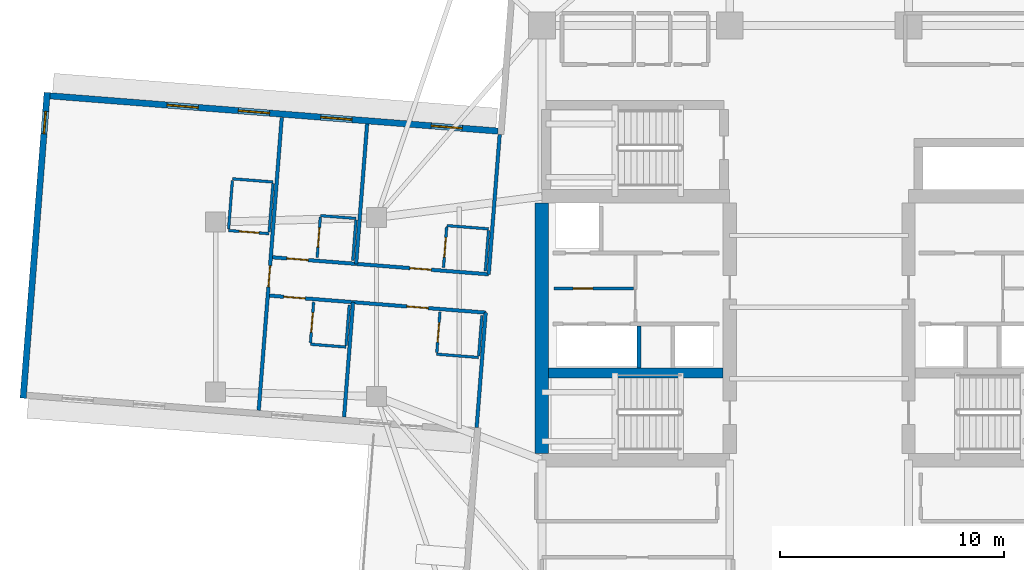
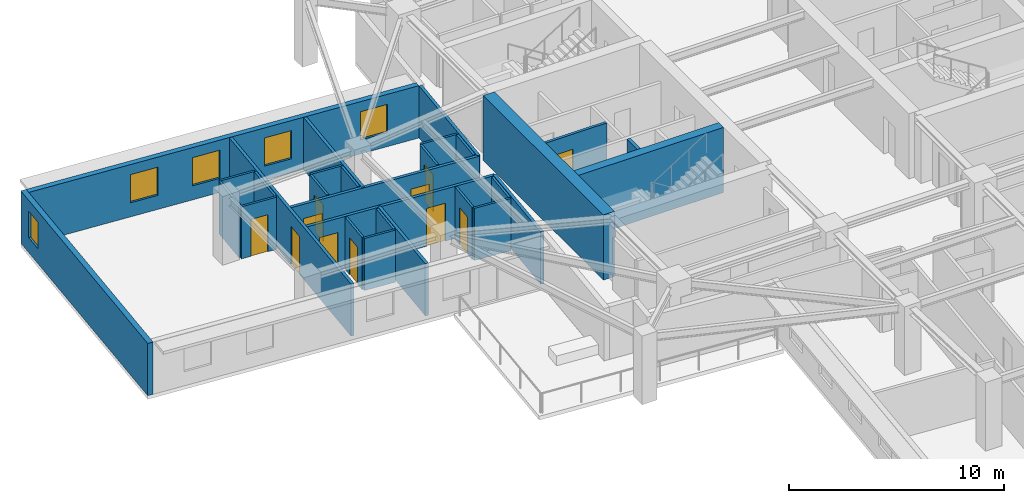
# One storey, part 5 of 14: 29 walls, 11 doors, 5 windows, 16 openings.
"""IFC4 building model written with IfcOpenShell, lengths in metres."""

from ifc_helpers import new_model, si_unit, direction, frame, frame_2d, origin, place, context, subcontext, project, spatial, rectangle, extrude, material, layer, layer_set, type_object, element, fill, save


model = new_model("IFC4")

# Units and contexts
model_context = context("Model", 3, precision=1e-05, world=origin(), true_north=direction((0.0, 1.0)))
body_context = subcontext(model_context, "Body", "Model", "MODEL_VIEW")
ifc_project = project(units=[si_unit("LENGTHUNIT", "METRE"), si_unit("AREAUNIT", "SQUARE_METRE"), si_unit("VOLUMEUNIT", "CUBIC_METRE"), si_unit("PLANEANGLEUNIT", "RADIAN"), si_unit("MASSUNIT", "GRAM", prefix="KILO")], contexts=[model_context])

# Site, building, storey
site_placement = place(None, origin())
site = spatial("IfcSite", under=ifc_project, at=site_placement, CompositionType="ELEMENT")
building_placement = place(site_placement, origin())
building = spatial("IfcBuilding", under=site, at=building_placement, Name="Qingluan Cross Belvedere", CompositionType="ELEMENT")
storey_placement = place(building_placement, frame((0.0, 0.0, 164.39990234375)))
storey = spatial("IfcBuildingStorey", under=building, at=storey_placement, Name="L41", CompositionType="ELEMENT", Elevation=164.39990234375)

# Walls
ifc_material_1 = material(Name="Concrete C50", Category="concrete")
ifc_layer_1 = layer(ifc_material_1, 0.449951171875, Name="CoreShearWall_450")
ifc_layer_set_1 = layer_set([ifc_layer_1], Name="Concrete C50")
wall_type_1 = type_object("IfcWallType", Name="CoreShearWall_450", PredefinedType="SHEAR", material=ifc_layer_set_1)
wall_1_placement = place(storey_placement, frame((-12.094970703125, -2.9599609375, 0.0), z_axis=(0.0, 0.0, 1.0), x_axis=(1.0, 0.0, 0.0)))
element("IfcWall", 1, at=wall_1_placement, inside=storey, type_object=wall_type_1, Name="Split core W shear wall L41-M", PredefinedType="SHEAR", context=body_context, shape_type="SweptSolid", body=[
    extrude(rectangle(XDim=7.7900390625, YDim=0.449951171875, at=frame_2d((3.89501953125, 0.0))), origin(), (0.0, 0.0, 1.0), 3.7001953125),
])
ifc_material_2 = material(Name="Concrete C60", Category="concrete")
ifc_layer_2 = layer(ifc_material_2, 0.60009765625, Name="CoreShearWall_600")
ifc_layer_set_2 = layer_set([ifc_layer_2], Name="Concrete C60")
wall_type_2 = type_object("IfcWallType", Name="CoreShearWall_600", PredefinedType="SHEAR", material=ifc_layer_set_2)
wall_2_placement = place(storey_placement, frame((-12.39990234375, -6.544921875, 0.0), z_axis=(0.0, 0.0, 1.0), x_axis=(0.0, 1.0, 0.0)))
element("IfcWall", 2, at=wall_2_placement, inside=storey, type_object=wall_type_2, Name="Split core W shear wall L41-W", PredefinedType="SHEAR", context=body_context, shape_type="SweptSolid", body=[
    extrude(rectangle(XDim=11.18994140625, YDim=0.60009765625, at=frame_2d((5.594970703125, 0.0))), origin(), (0.0, 0.0, 1.0), 3.7001953125),
])

# Wall, opening, door
ifc_material_3 = material(Name="Gypsum plasterboard on steel stud acoustic partition", Category="steel")
ifc_layer_3 = layer(ifc_material_3, 0.159912109375, Name="CorridorPartition_160")
ifc_layer_set_3 = layer_set([ifc_layer_3], Name="Gypsum plasterboard on steel stud acoustic partition")
wall_type_3 = type_object("IfcWallType", Name="CorridorPartition_160", PredefinedType="PARTITIONING", material=ifc_layer_set_3)
wall_3_placement = place(storey_placement, frame((-11.85009765625, 0.830078125, 0.0), z_axis=(0.0, 0.0, 1.0), x_axis=(1.0, 0.0, 0.0)))
wall_3 = element("IfcWall", 3, at=wall_3_placement, inside=storey, type_object=wall_type_3, Name="Partition L41:w", PredefinedType="PARTITIONING", context=body_context, shape_type="SweptSolid", body=[
    extrude(rectangle(XDim=3.552001953125, YDim=0.139892578125, at=frame_2d((1.77587890625, 0.0))), origin(), (0.0, 0.0, 1.0), 2.960205078125),
])
opening_1_placement = place(wall_3_placement, frame((0.85009765625, 0.0, 0.0)))
opening_1 = element("IfcOpeningElement", 4, at=opening_1_placement, cuts=wall_3, Name="Opening FD-B10", PredefinedType="OPENING", context=body_context, shape_type="SweptSolid", body=[
    extrude(rectangle(XDim=0.8798828125, YDim=2.10009765625, at=frame_2d((0.43994140625, 1.050048828125))), frame((0.0, 0.079833984375, 0.0), z_axis=(0.0, -1.0, 0.0), x_axis=(1.0, 0.0, 0.0)), (0.0, 0.0, 1.0), 0.159912109375),
])
ifc_material_4 = material(Name="Steel Class B service fire door", Category="steel")
door_type_1 = type_object("IfcDoorType", Name="RiserServiceFireDoor_FDB", OperationType="NOTDEFINED", PredefinedType="DOOR", material=ifc_material_4)
door_1_placement = place(opening_1_placement, origin())
door_1 = element("IfcDoor", 5, at=door_1_placement, inside=storey, type_object=door_type_1, Name="Service closet inner door L41", OperationType="SINGLE_SWING_RIGHT", OverallHeight=2.10009765625, OverallWidth=0.8798828125, PredefinedType="DOOR", context=body_context, shape_type="SweptSolid", body=[
    extrude(rectangle(XDim=0.8798828125, YDim=2.10009765625, at=frame_2d((0.43994140625, 1.050048828125))), frame((0.0, 0.02490234375, 0.0), z_axis=(0.0, -1.0, 0.0), x_axis=(1.0, 0.0, 0.0)), (0.0, 0.0, 1.0), 0.050048828125),
])
fill(opening_1, door_1)

# Wall, openings, doors
wall_4_placement = place(storey_placement, frame((-14.78076171875, 1.464111328125, 0.0), z_axis=(0.0, 0.0, 1.0), x_axis=(-0.996917761327, 0.078453662443, 0.0)))
wall_4 = element("IfcWall", 6, at=wall_4_placement, inside=storey, type_object=wall_type_3, Name="Partition L41:W:c0", PredefinedType="PARTITIONING", context=body_context, shape_type="SweptSolid", body=[
    extrude(rectangle(XDim=9.69970703125, YDim=0.159912109375, at=frame_2d((4.849853515625, 0.0))), origin(), (0.0, 0.0, 1.0), 2.960205078125),
])
opening_2_placement = place(wall_4_placement, frame((2.574951171875, 0.0, 0.0)))
opening_2 = element("IfcOpeningElement", 7, at=opening_2_placement, cuts=wall_4, Name="Opening GD-10", PredefinedType="OPENING", context=body_context, shape_type="SweptSolid", body=[
    extrude(rectangle(XDim=0.9599609375, YDim=2.14990234375, at=frame_2d((0.47998046875, 1.074951171875))), frame((0.0, 0.08984375, 0.0), z_axis=(0.0, -1.0, 0.0), x_axis=(1.0, 0.0, 0.0)), (0.0, 0.0, 1.0), 0.179931640625),
])
opening_3_placement = place(wall_4_placement, frame((8.096923828125, 0.0, 0.0)))
opening_3 = element("IfcOpeningElement", 8, at=opening_3_placement, cuts=wall_4, Name="Opening GD-10", PredefinedType="OPENING", context=body_context, shape_type="SweptSolid", body=[
    extrude(rectangle(XDim=0.9599609375, YDim=2.14990234375, at=frame_2d((0.47998046875, 1.074951171875))), frame((0.0, 0.08984375, 0.0), z_axis=(0.0, -1.0, 0.0), x_axis=(1.0, 0.0, 0.0)), (0.0, 0.0, 1.0), 0.179931640625),
])
ifc_material_5 = material(Name="Timber oak fire-rated acoustic guestroom door", Category="wood")
door_type_2 = type_object("IfcDoorType", Name="GuestEntryDoor_FD60", OperationType="NOTDEFINED", PredefinedType="DOOR", material=ifc_material_5)
door_2_placement = place(opening_2_placement, origin())
door_2 = element("IfcDoor", 9, at=door_2_placement, inside=storey, type_object=door_type_2, Name="Guest entry fire door 4107", OperationType="SINGLE_SWING_RIGHT", OverallHeight=2.14990234375, OverallWidth=0.9599609375, PredefinedType="DOOR", context=body_context, shape_type="SweptSolid", body=[
    extrude(rectangle(XDim=0.9599609375, YDim=2.14990234375, at=frame_2d((0.47998046875, 1.074951171875))), frame((0.0, 0.02490234375, 0.0), z_axis=(0.0, -1.0, 0.0), x_axis=(1.0, 0.0, 0.0)), (0.0, 0.0, 1.0), 0.050048828125),
])
fill(opening_2, door_2)
door_3_placement = place(opening_3_placement, origin())
door_3 = element("IfcDoor", 10, at=door_3_placement, inside=storey, type_object=door_type_2, Name="Guest entry fire door 4108", OperationType="SINGLE_SWING_RIGHT", OverallHeight=2.14990234375, OverallWidth=0.9599609375, PredefinedType="DOOR", context=body_context, shape_type="SweptSolid", body=[
    extrude(rectangle(XDim=0.9599609375, YDim=2.14990234375, at=frame_2d((0.47998046875, 1.074951171875))), frame((0.0, 0.02490234375, 0.0), z_axis=(0.0, -1.0, 0.0), x_axis=(1.0, 0.0, 0.0)), (0.0, 0.0, 1.0), 0.050048828125),
])
fill(opening_3, door_3)

# Walls
for number, where, z_axis, x_axis, name in (
    (11, (-14.78076171875, 1.464111328125, 0.0), (0.0, 0.0, 1.0), (0.078473432117, 0.996916205331, 0.0), "Partition L41:W:s0"),
    (12, (-20.71240234375, 1.930908203125, 0.0), (0.0, 0.0, 1.0), (0.078473432117, 0.996916205331, 0.0), "Partition L41:W:d0_0"),
):
    element("IfcWall", number, at=place(storey_placement, frame(where, z_axis=z_axis, x_axis=x_axis)), inside=storey, type_object=wall_type_3, Name=name, PredefinedType="PARTITIONING", context=body_context, shape_type="SweptSolid", body=[
        extrude(rectangle(XDim=6.27197265625, YDim=0.159912109375, at=frame_2d((3.135986328125, 0.0))), origin(), (0.0, 0.0, 1.0), 2.960205078125),
    ])

# Wall, openings, doors
wall_5_placement = place(storey_placement, frame((-14.91552734375, -0.25048828125, 0.0), z_axis=(0.0, 0.0, 1.0), x_axis=(-0.99691791624, 0.078451693931, 0.0)))
wall_5 = element("IfcWall", 13, at=wall_5_placement, inside=storey, type_object=wall_type_3, Name="Partition L41:W:c1", PredefinedType="PARTITIONING", context=body_context, shape_type="SweptSolid", body=[
    extrude(rectangle(XDim=9.699951171875, YDim=0.159912109375, at=frame_2d((4.85009765625, 0.0))), origin(), (0.0, 0.0, 1.0), 2.960205078125),
])
opening_4_placement = place(wall_5_placement, frame((2.574951171875, 0.0, 0.0)))
opening_4 = element("IfcOpeningElement", 14, at=opening_4_placement, cuts=wall_5, Name="Opening GD-10", PredefinedType="OPENING", context=body_context, shape_type="SweptSolid", body=[
    extrude(rectangle(XDim=0.9599609375, YDim=2.14990234375, at=frame_2d((0.47998046875, 1.074951171875))), frame((0.0, 0.08984375, 0.0), z_axis=(0.0, -1.0, 0.0), x_axis=(1.0, 0.0, 0.0)), (0.0, 0.0, 1.0), 0.179931640625),
])
opening_5_placement = place(wall_5_placement, frame((8.096923828125, 0.0, 0.0)))
opening_5 = element("IfcOpeningElement", 15, at=opening_5_placement, cuts=wall_5, Name="Opening GD-10", PredefinedType="OPENING", context=body_context, shape_type="SweptSolid", body=[
    extrude(rectangle(XDim=0.9599609375, YDim=2.14990234375, at=frame_2d((0.47998046875, 1.074951171875))), frame((0.0, 0.08984375, 0.0), z_axis=(0.0, -1.0, 0.0), x_axis=(1.0, 0.0, 0.0)), (0.0, 0.0, 1.0), 0.179931640625),
])
door_4_placement = place(opening_4_placement, origin())
door_4 = element("IfcDoor", 16, at=door_4_placement, inside=storey, type_object=door_type_2, Name="Guest entry fire door 4109", OperationType="SINGLE_SWING_RIGHT", OverallHeight=2.14990234375, OverallWidth=0.9599609375, PredefinedType="DOOR", context=body_context, shape_type="SweptSolid", body=[
    extrude(rectangle(XDim=0.9599609375, YDim=2.14990234375, at=frame_2d((0.47998046875, 1.074951171875))), frame((0.0, 0.02490234375, 0.0), z_axis=(0.0, -1.0, 0.0), x_axis=(1.0, 0.0, 0.0)), (0.0, 0.0, 1.0), 0.050048828125),
])
fill(opening_4, door_4)
door_5_placement = place(opening_5_placement, origin())
door_5 = element("IfcDoor", 17, at=door_5_placement, inside=storey, type_object=door_type_2, Name="Guest entry fire door 4110", OperationType="SINGLE_SWING_RIGHT", OverallHeight=2.14990234375, OverallWidth=0.9599609375, PredefinedType="DOOR", context=body_context, shape_type="SweptSolid", body=[
    extrude(rectangle(XDim=0.9599609375, YDim=2.14990234375, at=frame_2d((0.47998046875, 1.074951171875))), frame((0.0, 0.02490234375, 0.0), z_axis=(0.0, -1.0, 0.0), x_axis=(1.0, 0.0, 0.0)), (0.0, 0.0, 1.0), 0.050048828125),
])
fill(opening_5, door_5)

# Walls
for number, where, z_axis, x_axis, name in (
    (18, (-14.91552734375, -0.25048828125, 0.0), (0.0, 0.0, 1.0), (-0.078471975752, -0.99691631997, 0.0), "Partition L41:W:s1"),
    (19, (-20.847412109375, 0.21630859375, 0.0), (0.0, 0.0, 1.0), (-0.078424880829, -0.996920025913, 0.0), "Partition L41:W:d1_0"),
):
    element("IfcWall", number, at=place(storey_placement, frame(where, z_axis=z_axis, x_axis=x_axis)), inside=storey, type_object=wall_type_3, Name=name, PredefinedType="PARTITIONING", context=body_context, shape_type="SweptSolid", body=[
        extrude(rectangle(XDim=5.152099609375, YDim=0.159912109375, at=frame_2d((2.576171875, 0.0))), origin(), (0.0, 0.0, 1.0), 2.960205078125),
    ])

# Wall, opening, door
wall_6_placement = place(storey_placement, frame((-25.069580078125, -4.619384765625, 0.0), z_axis=(0.0, 0.0, 1.0), x_axis=(0.078457655694, 0.996917447065, 0.0)))
wall_6 = element("IfcWall", 20, at=wall_6_placement, inside=storey, type_object=wall_type_3, Name="Partition L41:Wcap:in", PredefinedType="PARTITIONING", context=body_context, shape_type="SweptSolid", body=[
    extrude(rectangle(XDim=13.14404296875, YDim=0.159912109375, at=frame_2d((6.572021484375, 0.0))), origin(), (0.0, 0.0, 1.0), 2.960205078125),
])
opening_6_placement = place(wall_6_placement, frame((5.531982421875, 0.0, 0.0)))
opening_6 = element("IfcOpeningElement", 21, at=opening_6_placement, cuts=wall_6, Name="Opening GD-10", PredefinedType="OPENING", context=body_context, shape_type="SweptSolid", body=[
    extrude(rectangle(XDim=0.9599609375, YDim=2.14990234375, at=frame_2d((0.47998046875, 1.074951171875))), frame((0.0, 0.08984375, 0.0), z_axis=(0.0, -1.0, 0.0), x_axis=(1.0, 0.0, 0.0)), (0.0, 0.0, 1.0), 0.179931640625),
])
door_6_placement = place(opening_6_placement, origin())
door_6 = element("IfcDoor", 22, at=door_6_placement, inside=storey, type_object=door_type_2, Name="Presidential suite entrance door L41W", OperationType="SINGLE_SWING_LEFT", OverallHeight=2.14990234375, OverallWidth=0.9599609375, PredefinedType="DOOR", context=body_context, shape_type="SweptSolid", body=[
    extrude(rectangle(XDim=0.9599609375, YDim=2.14990234375, at=frame_2d((0.47998046875, 1.074951171875))), frame((0.0, 0.02490234375, 0.0), z_axis=(0.0, -1.0, 0.0), x_axis=(1.0, 0.0, 0.0)), (0.0, 0.0, 1.0), 0.050048828125),
])
fill(opening_6, door_6)

ifc_material_6 = material(Name="Moisture-resistant gypsum board lining")
ifc_layer_4 = layer(ifc_material_6, 0.1201171875, Name="EnsuiteWetPartition_120")
ifc_layer_set_4 = layer_set([ifc_layer_4], Name="Moisture-resistant gypsum board lining")
wall_type_4 = type_object("IfcWallType", Name="EnsuiteWetPartition_120", PredefinedType="PARTITIONING", material=ifc_layer_set_4)
wall_7_placement = place(storey_placement, frame((-16.803466796875, 1.763916015625, 0.0), z_axis=(0.0, 0.0, 1.0), x_axis=(0.078481444107, 0.996915574626, 0.0)))
wall_7 = element("IfcWall", 23, at=wall_7_placement, inside=storey, type_object=wall_type_4, Name="Partition L41:W:bs0_0", PredefinedType="PARTITIONING", context=body_context, shape_type="SweptSolid", body=[
    extrude(rectangle(XDim=1.81982421875, YDim=0.1201171875, at=frame_2d((0.909912109375, 0.0))), origin(), (0.0, 0.0, 1.0), 2.960205078125),
])
opening_7_placement = place(wall_7_placement, frame((0.469970703125, 0.0, 0.0)))
opening_7 = element("IfcOpeningElement", 24, at=opening_7_placement, cuts=wall_7, Name="Opening BD-09", PredefinedType="OPENING", context=body_context, shape_type="SweptSolid", body=[
    extrude(rectangle(XDim=0.8798828125, YDim=2.10009765625, at=frame_2d((0.43994140625, 1.050048828125))), frame((0.0, 0.070068359375, 0.0), z_axis=(0.0, -1.0, 0.0), x_axis=(1.0, 0.0, 0.0)), (0.0, 0.0, 1.0), 0.14013671875),
])
ifc_material_7 = material(Name="Moisture-sealed timber en-suite door", Category="wood")
door_type_3 = type_object("IfcDoorType", Name="BathroomDoor_880", OperationType="NOTDEFINED", PredefinedType="DOOR", material=ifc_material_7)
door_7_placement = place(opening_7_placement, origin())
door_7 = element("IfcDoor", 25, at=door_7_placement, inside=storey, type_object=door_type_3, Name="Bathroom door 4107", OperationType="SINGLE_SWING_LEFT", OverallHeight=2.10009765625, OverallWidth=0.8798828125, PredefinedType="DOOR", context=body_context, shape_type="SweptSolid", body=[
    extrude(rectangle(XDim=0.8798828125, YDim=2.10009765625, at=frame_2d((0.43994140625, 1.050048828125))), frame((0.0, 0.02490234375, 0.0), z_axis=(0.0, -1.0, 0.0), x_axis=(1.0, 0.0, 0.0)), (0.0, 0.0, 1.0), 0.050048828125),
])
fill(opening_7, door_7)

# Walls
wall_8_placement = place(storey_placement, frame((-14.92919921875, 1.6162109375, 0.0), z_axis=(0.0, 0.0, 1.0), x_axis=(0.0784709492, 0.996916400774, 0.0)))
element("IfcWall", 26, at=wall_8_placement, inside=storey, type_object=wall_type_4, Name="Partition L41:W:bw0_0", PredefinedType="PARTITIONING", context=body_context, shape_type="SweptSolid", body=[
    extrude(rectangle(XDim=1.820068359375, YDim=0.1201171875, at=frame_2d((0.91015625, 0.0))), origin(), (0.0, 0.0, 1.0), 2.960205078125),
])
wall_9_placement = place(storey_placement, frame((-14.78125, 3.49560546875, 0.0), z_axis=(0.0, 0.0, 1.0), x_axis=(-0.996919293781, 0.07843418698, 0.0)))
element("IfcWall", 27, at=wall_9_placement, inside=storey, type_object=wall_type_4, Name="Partition L41:W:bn0_0", PredefinedType="PARTITIONING", context=body_context, shape_type="SweptSolid", body=[
    extrude(rectangle(XDim=1.880126953125, YDim=0.1201171875, at=frame_2d((0.93994140625, 0.0))), origin(), (0.0, 0.0, 1.0), 2.960205078125),
])

# Wall, opening, door
wall_10_placement = place(storey_placement, frame((-22.455810546875, 2.208740234375, 0.0), z_axis=(0.0, 0.0, 1.0), x_axis=(0.0784709492, 0.996916400774, 0.0)))
wall_10 = element("IfcWall", 28, at=wall_10_placement, inside=storey, type_object=wall_type_4, Name="Partition L41:W:bs0_1", PredefinedType="PARTITIONING", context=body_context, shape_type="SweptSolid", body=[
    extrude(rectangle(XDim=1.820068359375, YDim=0.1201171875, at=frame_2d((0.91015625, 0.0))), origin(), (0.0, 0.0, 1.0), 2.960205078125),
])
opening_8_placement = place(wall_10_placement, frame((0.469970703125, 0.0, 0.0)))
opening_8 = element("IfcOpeningElement", 29, at=opening_8_placement, cuts=wall_10, Name="Opening BD-09", PredefinedType="OPENING", context=body_context, shape_type="SweptSolid", body=[
    extrude(rectangle(XDim=0.8798828125, YDim=2.10009765625, at=frame_2d((0.43994140625, 1.050048828125))), frame((0.0, 0.070068359375, 0.0), z_axis=(0.0, -1.0, 0.0), x_axis=(1.0, 0.0, 0.0)), (0.0, 0.0, 1.0), 0.14013671875),
])
door_8_placement = place(opening_8_placement, origin())
door_8 = element("IfcDoor", 30, at=door_8_placement, inside=storey, type_object=door_type_3, Name="Bathroom door 4108", OperationType="SINGLE_SWING_LEFT", OverallHeight=2.10009765625, OverallWidth=0.8798828125, PredefinedType="DOOR", context=body_context, shape_type="SweptSolid", body=[
    extrude(rectangle(XDim=0.8798828125, YDim=2.10009765625, at=frame_2d((0.43994140625, 1.050048828125))), frame((0.0, 0.02490234375, 0.0), z_axis=(0.0, -1.0, 0.0), x_axis=(1.0, 0.0, 0.0)), (0.0, 0.0, 1.0), 0.050048828125),
])
fill(opening_8, door_8)

# Walls
wall_11_placement = place(storey_placement, frame((-20.86083984375, 2.0830078125, 0.0), z_axis=(0.0, 0.0, 1.0), x_axis=(0.0784709492, 0.996916400774, 0.0)))
element("IfcWall", 31, at=wall_11_placement, inside=storey, type_object=wall_type_4, Name="Partition L41:W:bw0_1", PredefinedType="PARTITIONING", context=body_context, shape_type="SweptSolid", body=[
    extrude(rectangle(XDim=1.820068359375, YDim=0.1201171875, at=frame_2d((0.91015625, 0.0))), origin(), (0.0, 0.0, 1.0), 2.960205078125),
])
wall_12_placement = place(storey_placement, frame((-20.712890625, 3.96240234375, 0.0), z_axis=(0.0, 0.0, 1.0), x_axis=(-0.99692016086, 0.078423165394, 0.0)))
element("IfcWall", 32, at=wall_12_placement, inside=storey, type_object=wall_type_4, Name="Partition L41:W:bn0_1", PredefinedType="PARTITIONING", context=body_context, shape_type="SweptSolid", body=[
    extrude(rectangle(XDim=1.60009765625, YDim=0.1201171875, at=frame_2d((0.800048828125, 0.0))), origin(), (0.0, 0.0, 1.0), 2.960205078125),
])

# Wall, opening, door
wall_13_placement = place(storey_placement, frame((-17.10302734375, -2.04443359375, 0.0), z_axis=(0.0, 0.0, 1.0), x_axis=(0.0784709492, 0.996916400774, 0.0)))
wall_13 = element("IfcWall", 33, at=wall_13_placement, inside=storey, type_object=wall_type_4, Name="Partition L41:W:bs1_0", PredefinedType="PARTITIONING", context=body_context, shape_type="SweptSolid", body=[
    extrude(rectangle(XDim=1.820068359375, YDim=0.1201171875, at=frame_2d((0.91015625, 0.0))), origin(), (0.0, 0.0, 1.0), 2.960205078125),
])
opening_9_placement = place(wall_13_placement, frame((0.469970703125, 0.0, 0.0)))
opening_9 = element("IfcOpeningElement", 34, at=opening_9_placement, cuts=wall_13, Name="Opening BD-09", PredefinedType="OPENING", context=body_context, shape_type="SweptSolid", body=[
    extrude(rectangle(XDim=0.8798828125, YDim=2.10009765625, at=frame_2d((0.43994140625, 1.050048828125))), frame((0.0, 0.070068359375, 0.0), z_axis=(0.0, -1.0, 0.0), x_axis=(1.0, 0.0, 0.0)), (0.0, 0.0, 1.0), 0.14013671875),
])
door_9_placement = place(opening_9_placement, origin())
door_9 = element("IfcDoor", 35, at=door_9_placement, inside=storey, type_object=door_type_3, Name="Bathroom door 4109", OperationType="SINGLE_SWING_LEFT", OverallHeight=2.10009765625, OverallWidth=0.8798828125, PredefinedType="DOOR", context=body_context, shape_type="SweptSolid", body=[
    extrude(rectangle(XDim=0.8798828125, YDim=2.10009765625, at=frame_2d((0.43994140625, 1.050048828125))), frame((0.0, 0.02490234375, 0.0), z_axis=(0.0, -1.0, 0.0), x_axis=(1.0, 0.0, 0.0)), (0.0, 0.0, 1.0), 0.050048828125),
])
fill(opening_9, door_9)

# Walls
wall_14_placement = place(storey_placement, frame((-15.22900390625, -2.19189453125, 0.0), z_axis=(0.0, 0.0, 1.0), x_axis=(0.0784709492, 0.996916400774, 0.0)))
element("IfcWall", 36, at=wall_14_placement, inside=storey, type_object=wall_type_4, Name="Partition L41:W:bw1_0", PredefinedType="PARTITIONING", context=body_context, shape_type="SweptSolid", body=[
    extrude(rectangle(XDim=1.820068359375, YDim=0.1201171875, at=frame_2d((0.91015625, 0.0))), origin(), (0.0, 0.0, 1.0), 2.960205078125),
])
wall_15_placement = place(storey_placement, frame((-15.23388671875, -2.256591796875, 0.0), z_axis=(0.0, 0.0, 1.0), x_axis=(-0.996919293781, 0.07843418698, 0.0)))
element("IfcWall", 37, at=wall_15_placement, inside=storey, type_object=wall_type_4, Name="Partition L41:W:bc1_0", PredefinedType="PARTITIONING", context=body_context, shape_type="SweptSolid", body=[
    extrude(rectangle(XDim=1.880126953125, YDim=0.1201171875, at=frame_2d((0.93994140625, 0.0))), origin(), (0.0, 0.0, 1.0), 2.960205078125),
])

# Wall, opening, door
wall_16_placement = place(storey_placement, frame((-22.755615234375, -1.599609375, 0.0), z_axis=(0.0, 0.0, 1.0), x_axis=(0.0784709492, 0.996916400774, 0.0)))
wall_16 = element("IfcWall", 38, at=wall_16_placement, inside=storey, type_object=wall_type_4, Name="Partition L41:W:bs1_1", PredefinedType="PARTITIONING", context=body_context, shape_type="SweptSolid", body=[
    extrude(rectangle(XDim=1.820068359375, YDim=0.1201171875, at=frame_2d((0.91015625, 0.0))), origin(), (0.0, 0.0, 1.0), 2.960205078125),
])
opening_10_placement = place(wall_16_placement, frame((0.469970703125, 0.0, 0.0)))
opening_10 = element("IfcOpeningElement", 39, at=opening_10_placement, cuts=wall_16, Name="Opening BD-09", PredefinedType="OPENING", context=body_context, shape_type="SweptSolid", body=[
    extrude(rectangle(XDim=0.8798828125, YDim=2.10009765625, at=frame_2d((0.43994140625, 1.050048828125))), frame((0.0, 0.070068359375, 0.0), z_axis=(0.0, -1.0, 0.0), x_axis=(1.0, 0.0, 0.0)), (0.0, 0.0, 1.0), 0.14013671875),
])
door_10_placement = place(opening_10_placement, origin())
door_10 = element("IfcDoor", 40, at=door_10_placement, inside=storey, type_object=door_type_3, Name="Bathroom door 4110", OperationType="SINGLE_SWING_LEFT", OverallHeight=2.10009765625, OverallWidth=0.8798828125, PredefinedType="DOOR", context=body_context, shape_type="SweptSolid", body=[
    extrude(rectangle(XDim=0.8798828125, YDim=2.10009765625, at=frame_2d((0.43994140625, 1.050048828125))), frame((0.0, 0.02490234375, 0.0), z_axis=(0.0, -1.0, 0.0), x_axis=(1.0, 0.0, 0.0)), (0.0, 0.0, 1.0), 0.050048828125),
])
fill(opening_10, door_10)

# Walls
wall_17_placement = place(storey_placement, frame((-21.16064453125, -1.72509765625, 0.0), z_axis=(0.0, 0.0, 1.0), x_axis=(0.0784709492, 0.996916400774, 0.0)))
element("IfcWall", 41, at=wall_17_placement, inside=storey, type_object=wall_type_4, Name="Partition L41:W:bw1_1", PredefinedType="PARTITIONING", context=body_context, shape_type="SweptSolid", body=[
    extrude(rectangle(XDim=1.820068359375, YDim=0.1201171875, at=frame_2d((0.91015625, 0.0))), origin(), (0.0, 0.0, 1.0), 2.960205078125),
])
wall_18_placement = place(storey_placement, frame((-21.165771484375, -1.789794921875, 0.0), z_axis=(0.0, 0.0, 1.0), x_axis=(-0.996919222285, 0.078435095707, 0.0)))
element("IfcWall", 42, at=wall_18_placement, inside=storey, type_object=wall_type_4, Name="Partition L41:W:bc1_1", PredefinedType="PARTITIONING", context=body_context, shape_type="SweptSolid", body=[
    extrude(rectangle(XDim=1.599853515625, YDim=0.1201171875, at=frame_2d((0.7998046875, 0.0))), origin(), (0.0, 0.0, 1.0), 2.960205078125),
])
wall_19_placement = place(storey_placement, frame((-24.60302734375, 3.3505859375, 0.0), z_axis=(0.0, 0.0, 1.0), x_axis=(0.078503326226, 0.99691385173, 0.0)))
element("IfcWall", 43, at=wall_19_placement, inside=storey, type_object=wall_type_4, Name="Partition L41:Wcap:ba", PredefinedType="PARTITIONING", context=body_context, shape_type="SweptSolid", body=[
    extrude(rectangle(XDim=2.18017578125, YDim=0.1201171875, at=frame_2d((1.090087890625, 0.0))), origin(), (0.0, 0.0, 1.0), 2.960205078125),
])
wall_20_placement = place(storey_placement, frame((-26.417236328125, 3.493408203125, 0.0), z_axis=(0.0, 0.0, 1.0), x_axis=(0.078392027287, 0.996922609864, 0.0)))
element("IfcWall", 44, at=wall_20_placement, inside=storey, type_object=wall_type_4, Name="Partition L41:Wcap:bb", PredefinedType="PARTITIONING", context=body_context, shape_type="SweptSolid", body=[
    extrude(rectangle(XDim=2.179931640625, YDim=0.1201171875, at=frame_2d((1.08984375, 0.0))), origin(), (0.0, 0.0, 1.0), 2.960205078125),
])

# Wall, opening, door
wall_21_placement = place(storey_placement, frame((-24.6083984375, 3.281005859375, 0.0), z_axis=(0.0, 0.0, 1.0), x_axis=(-0.996926885478, 0.078337634704, 0.0)))
wall_21 = element("IfcWall", 45, at=wall_21_placement, inside=storey, type_object=wall_type_4, Name="Partition L41:Wcap:bs", PredefinedType="PARTITIONING", context=body_context, shape_type="SweptSolid", body=[
    extrude(rectangle(XDim=1.820068359375, YDim=0.1201171875, at=frame_2d((0.91015625, 0.0))), origin(), (0.0, 0.0, 1.0), 2.960205078125),
])
opening_11_placement = place(wall_21_placement, frame((0.449951171875, 0.0, 0.0)))
opening_11 = element("IfcOpeningElement", 46, at=opening_11_placement, cuts=wall_21, Name="Opening BD-09", PredefinedType="OPENING", context=body_context, shape_type="SweptSolid", body=[
    extrude(rectangle(XDim=0.8798828125, YDim=2.10009765625, at=frame_2d((0.43994140625, 1.050048828125))), frame((0.0, 0.070068359375, 0.0), z_axis=(0.0, -1.0, 0.0), x_axis=(1.0, 0.0, 0.0)), (0.0, 0.0, 1.0), 0.14013671875),
])
door_11_placement = place(opening_11_placement, origin())
door_11 = element("IfcDoor", 47, at=door_11_placement, inside=storey, type_object=door_type_3, Name="En-suite bathroom door L41W", OperationType="SINGLE_SWING_RIGHT", OverallHeight=2.10009765625, OverallWidth=0.8798828125, PredefinedType="DOOR", context=body_context, shape_type="SweptSolid", body=[
    extrude(rectangle(XDim=0.8798828125, YDim=2.10009765625, at=frame_2d((0.43994140625, 1.050048828125))), frame((0.0, 0.02490234375, 0.0), z_axis=(0.0, -1.0, 0.0), x_axis=(1.0, 0.0, 0.0)), (0.0, 0.0, 1.0), 0.050048828125),
])
fill(opening_11, door_11)

# Wall
wall_22_placement = place(storey_placement, frame((-24.426513671875, 5.59375, 0.0), z_axis=(0.0, 0.0, 1.0), x_axis=(-0.996915574626, 0.078481444107, 0.0)))
element("IfcWall", 48, at=wall_22_placement, inside=storey, type_object=wall_type_4, Name="Partition L41:Wcap:bn", PredefinedType="PARTITIONING", context=body_context, shape_type="SweptSolid", body=[
    extrude(rectangle(XDim=1.81982421875, YDim=0.1201171875, at=frame_2d((0.909912109375, 0.0))), origin(), (0.0, 0.0, 1.0), 2.960205078125),
])

# Wall, openings, windows
ifc_material_8 = material(Name="Precast concrete C45", Category="concrete")
ifc_layer_5 = layer(ifc_material_8, 0.280029296875, Name="PrecastFacadeWall_280")
ifc_layer_set_5 = layer_set([ifc_layer_5], Name="Precast concrete C45")
wall_type_5 = type_object("IfcWallType", Name="PrecastFacadeWall_280", PredefinedType="STANDARD", material=ifc_layer_set_5)
wall_23_placement = place(storey_placement, frame((-14.36669921875, 7.87158203125, 0.0), z_axis=(0.0, 0.0, 1.0), x_axis=(-0.996917828963, 0.078452802979, 0.0)))
wall_23 = element("IfcWall", 49, at=wall_23_placement, inside=storey, type_object=wall_type_5, Name="Facade wall L41-WA", PredefinedType="STANDARD", context=body_context, shape_type="SweptSolid", body=[
    extrude(rectangle(XDim=20.10009765625, YDim=0.280029296875, at=frame_2d((10.050048828125, 0.0))), origin(), (0.0, 0.0, 1.0), 2.97021484375),
])
opening_12_placement = place(wall_23_placement, frame((1.60009765625, 0.0, 0.800048828125)))
opening_12 = element("IfcOpeningElement", 50, at=opening_12_placement, cuts=wall_23, Name="Opening W-01", PredefinedType="OPENING", context=body_context, shape_type="SweptSolid", body=[
    extrude(rectangle(XDim=1.39990234375, YDim=1.60009765625, at=frame_2d((0.699951171875, 0.800048828125))), frame((0.0, 0.14990234375, 0.0), z_axis=(0.0, -1.0, 0.0), x_axis=(1.0, 0.0, 0.0)), (0.0, 0.0, 1.0), 0.300048828125),
])
opening_13_placement = place(wall_23_placement, frame((6.550048828125, 0.0, 0.800048828125)))
opening_13 = element("IfcOpeningElement", 51, at=opening_13_placement, cuts=wall_23, Name="Opening W-01", PredefinedType="OPENING", context=body_context, shape_type="SweptSolid", body=[
    extrude(rectangle(XDim=1.39990234375, YDim=1.60009765625, at=frame_2d((0.699951171875, 0.800048828125))), frame((0.0, 0.14990234375, 0.0), z_axis=(0.0, -1.0, 0.0), x_axis=(1.0, 0.0, 0.0)), (0.0, 0.0, 1.0), 0.300048828125),
])
opening_14_placement = place(wall_23_placement, frame((10.25, 0.0, 0.800048828125)))
opening_14 = element("IfcOpeningElement", 52, at=opening_14_placement, cuts=wall_23, Name="Opening W-01", PredefinedType="OPENING", context=body_context, shape_type="SweptSolid", body=[
    extrude(rectangle(XDim=1.39990234375, YDim=1.60009765625, at=frame_2d((0.699951171875, 0.800048828125))), frame((0.0, 0.14990234375, 0.0), z_axis=(0.0, -1.0, 0.0), x_axis=(1.0, 0.0, 0.0)), (0.0, 0.0, 1.0), 0.300048828125),
])
opening_15_placement = place(wall_23_placement, frame((13.449951171875, 0.0, 0.800048828125)))
opening_15 = element("IfcOpeningElement", 53, at=opening_15_placement, cuts=wall_23, Name="Opening W-01", PredefinedType="OPENING", context=body_context, shape_type="SweptSolid", body=[
    extrude(rectangle(XDim=1.39990234375, YDim=1.60009765625, at=frame_2d((0.699951171875, 0.800048828125))), frame((0.0, 0.14990234375, 0.0), z_axis=(0.0, -1.0, 0.0), x_axis=(1.0, 0.0, 0.0)), (0.0, 0.0, 1.0), 0.300048828125),
])
ifc_material_9 = material(Name="Thermally broken triple Low-E glass in aluminium frame", Category="aluminium")
window_type_1 = type_object("IfcWindowType", Name="TriRibbonWin_1400x1600", PartitioningType="SINGLE_PANEL", PredefinedType="WINDOW", material=ifc_material_9)
window_1_placement = place(opening_12_placement, origin())
window_1 = element("IfcWindow", 54, at=window_1_placement, inside=storey, type_object=window_type_1, Name="Ribbon window L41-WA-1", OverallHeight=1.60009765625, OverallWidth=1.39990234375, PartitioningType="SINGLE_PANEL", PredefinedType="WINDOW", context=body_context, shape_type="SweptSolid", body=[
    extrude(rectangle(XDim=1.39990234375, YDim=1.60009765625, at=frame_2d((0.699951171875, 0.800048828125))), frame((0.0, 0.030029296875, 0.0), z_axis=(0.0, -1.0, 0.0), x_axis=(1.0, 0.0, 0.0)), (0.0, 0.0, 1.0), 0.06005859375),
])
fill(opening_12, window_1)
window_2_placement = place(opening_13_placement, origin())
window_2 = element("IfcWindow", 55, at=window_2_placement, inside=storey, type_object=window_type_1, Name="Ribbon window L41-WA-2", OverallHeight=1.60009765625, OverallWidth=1.39990234375, PartitioningType="SINGLE_PANEL", PredefinedType="WINDOW", context=body_context, shape_type="SweptSolid", body=[
    extrude(rectangle(XDim=1.39990234375, YDim=1.60009765625, at=frame_2d((0.699951171875, 0.800048828125))), frame((0.0, 0.030029296875, 0.0), z_axis=(0.0, -1.0, 0.0), x_axis=(1.0, 0.0, 0.0)), (0.0, 0.0, 1.0), 0.06005859375),
])
fill(opening_13, window_2)
window_3_placement = place(opening_14_placement, origin())
window_3 = element("IfcWindow", 56, at=window_3_placement, inside=storey, type_object=window_type_1, Name="Ribbon window L41-WA-3", OverallHeight=1.60009765625, OverallWidth=1.39990234375, PartitioningType="SINGLE_PANEL", PredefinedType="WINDOW", context=body_context, shape_type="SweptSolid", body=[
    extrude(rectangle(XDim=1.39990234375, YDim=1.60009765625, at=frame_2d((0.699951171875, 0.800048828125))), frame((0.0, 0.030029296875, 0.0), z_axis=(0.0, -1.0, 0.0), x_axis=(1.0, 0.0, 0.0)), (0.0, 0.0, 1.0), 0.06005859375),
])
fill(opening_14, window_3)
window_4_placement = place(opening_15_placement, origin())
window_4 = element("IfcWindow", 57, at=window_4_placement, inside=storey, type_object=window_type_1, Name="Ribbon window L41-WA-4", OverallHeight=1.60009765625, OverallWidth=1.39990234375, PartitioningType="SINGLE_PANEL", PredefinedType="WINDOW", context=body_context, shape_type="SweptSolid", body=[
    extrude(rectangle(XDim=1.39990234375, YDim=1.60009765625, at=frame_2d((0.699951171875, 0.800048828125))), frame((0.0, 0.030029296875, 0.0), z_axis=(0.0, -1.0, 0.0), x_axis=(1.0, 0.0, 0.0)), (0.0, 0.0, 1.0), 0.06005859375),
])
fill(opening_15, window_4)

# Wall, opening, window
wall_24_placement = place(storey_placement, frame((-34.533203125, 9.59912109375, 0.0), z_axis=(0.0, 0.0, 1.0), x_axis=(-0.078473519122, -0.996916198482, 0.0)))
wall_24 = element("IfcWall", 58, at=wall_24_placement, inside=storey, type_object=wall_type_5, Name="Arm tip precast facade wall L41-W", PredefinedType="STANDARD", context=body_context, shape_type="SweptSolid", body=[
    extrude(rectangle(XDim=13.719970703125, YDim=0.280029296875, at=frame_2d((6.85986328125, 0.0))), origin(), (0.0, 0.0, 1.0), 2.97021484375),
])
opening_16_placement = place(wall_24_placement, frame((0.85009765625, 0.0, 0.85009765625)))
opening_16 = element("IfcOpeningElement", 59, at=opening_16_placement, cuts=wall_24, Name="Opening W-03", PredefinedType="OPENING", context=body_context, shape_type="SweptSolid", body=[
    extrude(rectangle(XDim=1.0, YDim=1.5, at=frame_2d((0.5, 0.75))), frame((0.0, 0.14990234375, 0.0), z_axis=(0.0, -1.0, 0.0), x_axis=(1.0, 0.0, 0.0)), (0.0, 0.0, 1.0), 0.300048828125),
])
ifc_material_10 = material(Name="Thermally broken triple Low-E glass in aluminium frame", Category="aluminium")
window_type_2 = type_object("IfcWindowType", Name="TriApexWin_1000x1500", PartitioningType="SINGLE_PANEL", PredefinedType="WINDOW", material=ifc_material_10)
window_5_placement = place(opening_16_placement, origin())
window_5 = element("IfcWindow", 60, at=window_5_placement, inside=storey, type_object=window_type_2, Name="Arm tip triangular window L41-W", OverallHeight=1.5, OverallWidth=1.0, PartitioningType="SINGLE_PANEL", PredefinedType="WINDOW", context=body_context, shape_type="SweptSolid", body=[
    extrude(rectangle(XDim=1.0, YDim=1.5, at=frame_2d((0.5, 0.75))), frame((0.0, 0.030029296875, 0.0), z_axis=(0.0, -1.0, 0.0), x_axis=(1.0, 0.0, 0.0)), (0.0, 0.0, 1.0), 0.06005859375),
])
fill(opening_16, window_5)

# Wall
ifc_material_11 = material(Name="Concrete C40", Category="concrete")
ifc_layer_6 = layer(ifc_material_11, 0.219970703125, Name="ShaftEnclosureWall_250")
ifc_layer_set_6 = layer_set([ifc_layer_6], Name="Concrete C40")
wall_type_6 = type_object("IfcWallType", Name="ShaftEnclosureWall_250", PredefinedType="SOLIDWALL", material=ifc_layer_set_6)
wall_25_placement = place(storey_placement, frame((-8.06005859375, -2.72998046875, 0.0), z_axis=(0.0, 0.0, 1.0), x_axis=(0.0, 1.0, 0.0)))
element("IfcWall", 61, at=wall_25_placement, inside=storey, type_object=wall_type_6, Name="Hoistway enclosure divider LP6E L41", PredefinedType="SOLIDWALL", context=body_context, shape_type="SweptSolid", body=[
    extrude(rectangle(XDim=1.889892578125, YDim=0.179931640625, at=frame_2d((0.94482421875, 0.0))), origin(), (0.0, 0.0, 1.0), 2.960205078125),
])

save(model, "model.ifc")
